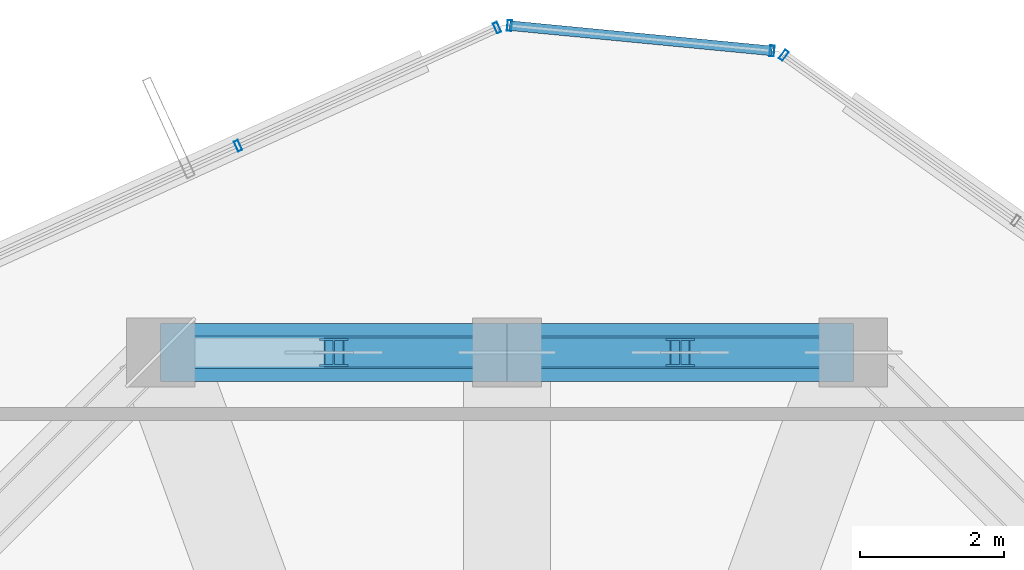
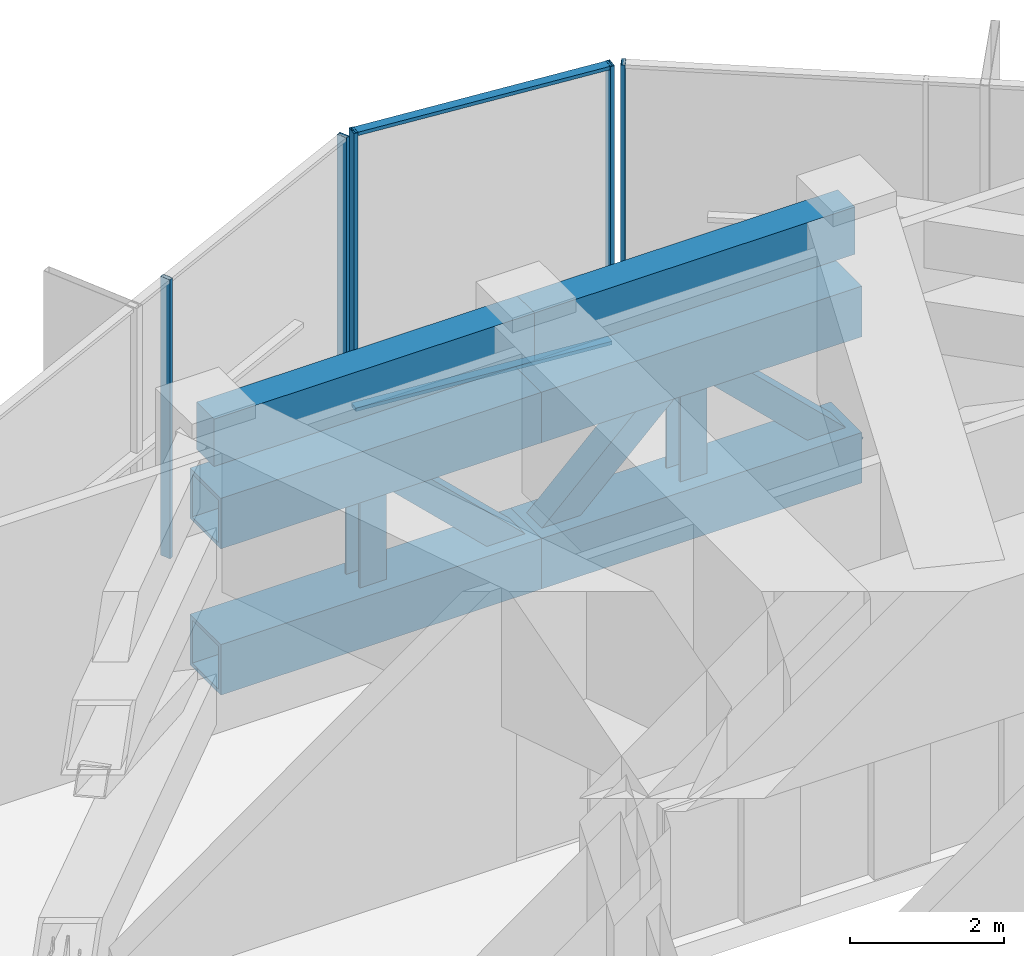
# One storey, part 23 of 31: 16 members, 2 beams, 3 elements without a shape of their own.
"""IFC4 building model written with IfcOpenShell, lengths in metres."""

from ifc_helpers import new_model, si_unit, direction, frame, origin, origin_2d, place, context, subcontext, project, spatial, rectangle, hollow_rectangle, i_section, extrude, source, transform, mapped, material, layer, layer_set, material_profile, profile_set, type_object, element, aggregate, save


model = new_model("IFC4")

# Units and contexts
model_context = context("Model", 3, precision=1e-05, world=origin(), true_north=direction((0.0, 1.0)))
body_context = subcontext(model_context, "Body", "Model", "MODEL_VIEW")
ifc_project = project(units=[si_unit("LENGTHUNIT", "METRE"), si_unit("AREAUNIT", "SQUARE_METRE"), si_unit("VOLUMEUNIT", "CUBIC_METRE"), si_unit("PLANEANGLEUNIT", "RADIAN"), si_unit("MASSUNIT", "GRAM", prefix="KILO")], contexts=[model_context])

# Site, building, storey
site_placement = place(None, origin())
site = spatial("IfcSite", under=ifc_project, at=site_placement, CompositionType="ELEMENT")
building_placement = place(site_placement, origin())
building = spatial("IfcBuilding", under=site, at=building_placement, Name="Veraguas Prism Commons", CompositionType="ELEMENT")
storey_placement = place(building_placement, frame((0.0, 0.0, 225.39990234375)))
storey = spatial("IfcBuildingStorey", under=building, at=storey_placement, Name="L64", CompositionType="ELEMENT", Elevation=225.39990234375)

# Members
ifc_material_1 = material(Name="Steel ASTM A913 Grade 65", Category="steel")
ifc_material_profile_1 = material_profile(ifc_material_1, hollow_rectangle(XDim=0.800048828125, YDim=0.800048828125, WallThickness=0.06005859375, at=origin_2d()), Name="BOX800X800X60")
ifc_profile_set_1 = profile_set([ifc_material_profile_1], Name="Steel ASTM A913 Grade 65")
member_type_1 = type_object("IfcMemberType", Name="Belt Truss Chord L64 Box 800x800x60", PredefinedType="CHORD", material=ifc_profile_set_1)
for number, where, z_axis, x_axis, name in (
    (1, (28.800048828125, 38.89990234375, 0.550048828125), (-1.0, 0.0, 0.0), (0.0, -1.0, 0.0), "Perimeter Belt Truss Chord Bottom L64-04"),
    (2, (28.800048828125, 38.89990234375, 2.864990234375), (-1.0, 0.0, 0.0), (0.0, -1.0, 0.0), "Perimeter Belt Truss Chord Top L64-04"),
    (3, (24.0, 38.89990234375, 0.550048828125), (-1.0, 0.0, 0.0), (0.0, -1.0, 0.0), "Perimeter Belt Truss Chord Bottom L64-05"),
    (4, (24.0, 38.89990234375, 2.864990234375), (-1.0, 0.0, 0.0), (0.0, -1.0, 0.0), "Perimeter Belt Truss Chord Top L64-05"),
):
    element("IfcMember", number, at=place(storey_placement, frame(where, z_axis=z_axis, x_axis=x_axis)), inside=storey, type_object=member_type_1, Name=name, PredefinedType="CHORD", context=body_context, shape_type="SweptSolid", body=[
        extrude(hollow_rectangle(XDim=0.800048828125, YDim=0.800048828125, WallThickness=0.06005859375, at=origin_2d()), origin(), (0.0, 0.0, 1.0), 4.800048828125),
    ])
ifc_material_2 = material(Name="Steel ASTM A992 Grade 50", Category="steel")
ifc_material_profile_2 = material_profile(ifc_material_2, i_section(OverallWidth=0.39794921875, OverallDepth=0.386962890625, WebThickness=0.01904296875, FlangeThickness=0.0302734375, at=origin_2d()), Name="W360X262")
ifc_profile_set_2 = profile_set([ifc_material_profile_2], Name="Steel ASTM A992 Grade 50")
member_type_2 = type_object("IfcMemberType", Name="Belt Truss Vertical Strut W360x262", PredefinedType="STRUT", material=ifc_profile_set_2)
for number, where, z_axis, x_axis, name in (
    (5, (26.39990234375, 38.89990234375, 0.550048828125), (0.0, 0.0, 1.0), (-1.0, 0.0, 0.0), "Perimeter Belt Truss Strut L64-04"),
    (6, (21.60009765625, 38.89990234375, 0.550048828125), (0.0, 0.0, 1.0), (-1.0, 0.0, 0.0), "Perimeter Belt Truss Strut L64-05"),
):
    element("IfcMember", number, at=place(storey_placement, frame(where, z_axis=z_axis, x_axis=x_axis)), inside=storey, type_object=member_type_2, Name=name, PredefinedType="STRUT", context=body_context, shape_type="SweptSolid", body=[
        extrude(i_section(OverallWidth=0.39794921875, OverallDepth=0.386962890625, WebThickness=0.01904296875, FlangeThickness=0.0302734375, at=origin_2d()), origin(), (0.0, 0.0, 1.0), 2.31494140625),
    ])

# Beams
ifc_material_3 = material(Name="Concrete C50/60", Category="concrete")
ifc_material_profile_3 = material_profile(ifc_material_3, rectangle(XDim=0.449951171875, YDim=0.75, at=origin_2d()), Name="RC450X750")
ifc_profile_set_3 = profile_set([ifc_material_profile_3], Name="Concrete C50/60")
beam_type = type_object("IfcBeamType", Name="Perimeter Spandrel Upper RC 450x750", PredefinedType="SPANDREL", material=ifc_profile_set_3)
for number, where, z_axis, x_axis, name in (
    (7, (28.800048828125, 38.89990234375, 4.0400390625), (-1.0, 0.0, 0.0), (0.0, -1.0, 0.0), "Perimeter Spandrel Beam L64-SP04"),
    (8, (24.0, 38.89990234375, 4.0400390625), (-1.0, 0.0, 0.0), (0.0, -1.0, 0.0), "Perimeter Spandrel Beam L64-SP05"),
):
    element("IfcBeam", number, at=place(storey_placement, frame(where, z_axis=z_axis, x_axis=x_axis)), inside=storey, type_object=beam_type, Name=name, PredefinedType="SPANDREL", context=body_context, shape_type="SweptSolid", body=[
        extrude(rectangle(XDim=0.449951171875, YDim=0.75, at=origin_2d()), origin(), (0.0, 0.0, 1.0), 4.800048828125),
    ])

# Members
ifc_material_4 = material(Name="Steel ASTM A500 Grade C", Category="steel")
ifc_material_profile_4 = material_profile(ifc_material_4, hollow_rectangle(XDim=0.39990234375, YDim=0.39990234375, WallThickness=0.02001953125, at=origin_2d()), Name="HSS400X400X20")
ifc_profile_set_4 = profile_set([ifc_material_profile_4], Name="Steel ASTM A500 Grade C")
member_type_3 = type_object("IfcMemberType", Name="Wind Portal V-Brace HSS 400x400x20", PredefinedType="BRACE", material=ifc_profile_set_4)
member_1_placement = place(storey_placement, frame((28.800048828125, 38.89990234375, 0.550048828125), z_axis=(-0.719767205746, 0.0, 0.694215506549), x_axis=(0.0, -1.0, 0.0)))
element("IfcMember", 9, at=member_1_placement, inside=storey, type_object=member_type_3, Name="Perimeter Belt Truss Brace L64-04A", PredefinedType="BRACE", context=body_context, shape_type="SweptSolid", body=[
    extrude(hollow_rectangle(XDim=0.39990234375, YDim=0.39990234375, WallThickness=0.02001953125, at=origin_2d()), origin(), (0.0, 0.0, 1.0), 3.334716796875),
])
for number, where, z_axis, x_axis, name in (
    (10, (24.0, 38.89990234375, 0.550048828125), (0.719731918537, 0.0, 0.694252090699), (0.0, 1.0, 0.0), "Perimeter Belt Truss Brace L64-04B"),
    (11, (24.0, 38.89990234375, 0.550048828125), (-0.719731918537, 0.0, 0.694252090699), (0.0, -1.0, 0.0), "Perimeter Belt Truss Brace L64-05A"),
):
    element("IfcMember", number, at=place(storey_placement, frame(where, z_axis=z_axis, x_axis=x_axis)), inside=storey, type_object=member_type_3, Name=name, PredefinedType="BRACE", context=body_context, shape_type="SweptSolid", body=[
        extrude(hollow_rectangle(XDim=0.39990234375, YDim=0.39990234375, WallThickness=0.02001953125, at=origin_2d()), origin(), (0.0, 0.0, 1.0), 3.33447265625),
    ])

# Curtain wall, members
ifc_material_5 = material(Name="Anodised aluminium EN AW-6063 T6", Category="aluminium")
ifc_layer = layer(ifc_material_5, 0.14990234375, Name="Unitised Flush Curtain Wall Zone 3", Category="aluminium")
ifc_layer_set = layer_set([ifc_layer], Name="Anodised aluminium EN AW-6063 T6")
curtain_wall_type = type_object("IfcCurtainWallType", Name="Unitised Flush Curtain Wall Zone 3", PredefinedType="NOTDEFINED", material=ifc_layer_set)
curtain_wall_1_placement = place(storey_placement, origin())
curtain_wall_1 = element("IfcCurtainWall", 12, at=curtain_wall_1_placement, inside=storey, type_object=curtain_wall_type, Name="Chamfer Curtain Wall L64-C2", PredefinedType="NOTDEFINED")
ifc_material_profile_5 = material_profile(ifc_material_5, hollow_rectangle(XDim=0.054931640625, YDim=0.135009765625, WallThickness=0.0029296875, at=origin_2d()), Name="AL55X135X3")
ifc_profile_set_5 = profile_set([ifc_material_profile_5], Name="Anodised aluminium EN AW-6063 T6")
member_type_4 = type_object("IfcMemberType", Name="Curtain Wall Transom Standard AL 55x135x3", PredefinedType="USERDEFINED", material=ifc_profile_set_5)
shared_shape_1 = source(origin(), body_context, "Body", "SweptSolid", [
    extrude(hollow_rectangle(XDim=0.054931640625, YDim=0.135009765625, WallThickness=0.0029296875, at=origin_2d()), origin(), (0.0, 0.0, 1.0), 3.654541015625),
])
member_2_placement = place(storey_placement, frame((27.6728515625, 43.078857421875, 0.027587890625), z_axis=(-0.995394329585, 0.095865158588, 0.0), x_axis=(0.0, 0.0, 1.0)))
member_2 = element("IfcMember", 13, at=member_2_placement, type_object=member_type_4, Name="CW-Z3 Transom 1", ObjectType="TRANSOM", PredefinedType="USERDEFINED", context=body_context, shape_type="MappedRepresentation", body=[
    mapped(shared_shape_1, transform((0.0, 0.0, 0.0), scale=1.0)),
])
member_3_placement = place(storey_placement, frame((27.6728515625, 43.078857421875, 4.3876953125), z_axis=(-0.995394329585, 0.095865158588, 0.0), x_axis=(0.0, 0.0, 1.0)))
member_3 = element("IfcMember", 14, at=member_3_placement, type_object=member_type_4, Name="CW-Z3 Transom 2", ObjectType="TRANSOM", PredefinedType="USERDEFINED", context=body_context, shape_type="MappedRepresentation", body=[
    mapped(shared_shape_1, transform((0.0, 0.0, 0.0), scale=1.0)),
])

# Curtain wall, member
curtain_wall_2_placement = place(storey_placement, origin())
curtain_wall_2 = element("IfcCurtainWall", 15, at=curtain_wall_2_placement, inside=storey, type_object=curtain_wall_type, Name="Tower Facade Curtain Wall L64-F1", PredefinedType="NOTDEFINED")
ifc_material_profile_6 = material_profile(ifc_material_5, hollow_rectangle(XDim=0.06005859375, YDim=0.14990234375, WallThickness=0.0029296875, at=origin_2d()), Name="AL60X150X3")
ifc_profile_set_6 = profile_set([ifc_material_profile_6], Name="Anodised aluminium EN AW-6063 T6")
member_type_5 = type_object("IfcMemberType", Name="Curtain Wall Mullion Upper AL 60x150x3", PredefinedType="MULLION", material=ifc_profile_set_6)
shared_shape_2 = source(origin(), body_context, "Body", "SweptSolid", [
    extrude(hollow_rectangle(XDim=0.06005859375, YDim=0.14990234375, WallThickness=0.0029296875, at=origin_2d()), origin(), (0.0, 0.0, 1.0), 4.4150390625),
])
member_4_placement = place(storey_placement, frame((27.83544921875, 43.01806640625, 0.0), z_axis=(0.0, 0.0, 1.0), x_axis=(-0.814113491316, 0.580705797507, 0.0)))
member_4 = element("IfcMember", 16, at=member_4_placement, type_object=member_type_5, Name="CW-Z3 Mullion 5", PredefinedType="MULLION", context=body_context, shape_type="MappedRepresentation", body=[
    mapped(shared_shape_2, transform((0.0, 0.0, 0.0), scale=1.0)),
])
aggregate(curtain_wall_2, [member_4])

# Curtain wall, members
curtain_wall_3_placement = place(storey_placement, origin())
curtain_wall_3 = element("IfcCurtainWall", 17, at=curtain_wall_3_placement, inside=storey, type_object=curtain_wall_type, Name="Tower Facade Curtain Wall L64-F2", PredefinedType="NOTDEFINED")
member_5_placement = place(storey_placement, frame((23.86376953125, 43.400390625, 0.0), z_axis=(0.0, 0.0, 1.0), x_axis=(-0.909961994651, -0.414691654474, 0.0)))
member_5 = element("IfcMember", 18, at=member_5_placement, type_object=member_type_5, Name="CW-Z3 Mullion 1", PredefinedType="MULLION", context=body_context, shape_type="MappedRepresentation", body=[
    mapped(shared_shape_2, transform((0.0, 0.0, 0.0), scale=1.0)),
])
member_6_placement = place(storey_placement, frame((20.2734375, 41.76416015625, 0.0), z_axis=(0.0, 0.0, 1.0), x_axis=(-0.909961994651, -0.414691654474, 0.0)))
member_6 = element("IfcMember", 19, at=member_6_placement, type_object=member_type_5, Name="CW-Z3 Mullion 2", PredefinedType="MULLION", context=body_context, shape_type="MappedRepresentation", body=[
    mapped(shared_shape_2, transform((0.0, 0.0, 0.0), scale=1.0)),
])
aggregate(curtain_wall_3, [member_5, member_6])

# Member
member_7_placement = place(storey_placement, frame((27.6728515625, 43.078857421875, 0.0), z_axis=(0.0, 0.0, 1.0), x_axis=(-0.99539904173, 0.095816218478, 0.0)))
member_7 = element("IfcMember", 20, at=member_7_placement, type_object=member_type_5, Name="CW-Z3 Mullion 1", PredefinedType="MULLION", context=body_context, shape_type="MappedRepresentation", body=[
    mapped(shared_shape_2, transform((0.0, 0.0, 0.0), scale=1.0)),
])

member_8_placement = place(storey_placement, frame((24.03515625, 43.42919921875, 0.0), z_axis=(0.0, 0.0, 1.0), x_axis=(-0.99539904173, 0.095816218478, 0.0)))
member_8 = element("IfcMember", 21, at=member_8_placement, type_object=member_type_5, Name="CW-Z3 Mullion 2", PredefinedType="MULLION", context=body_context, shape_type="MappedRepresentation", body=[
    mapped(shared_shape_2, transform((0.0, 0.0, 0.0), scale=1.0)),
])

aggregate(curtain_wall_1, [member_7, member_8, member_2, member_3])

save(model, "model.ifc")
